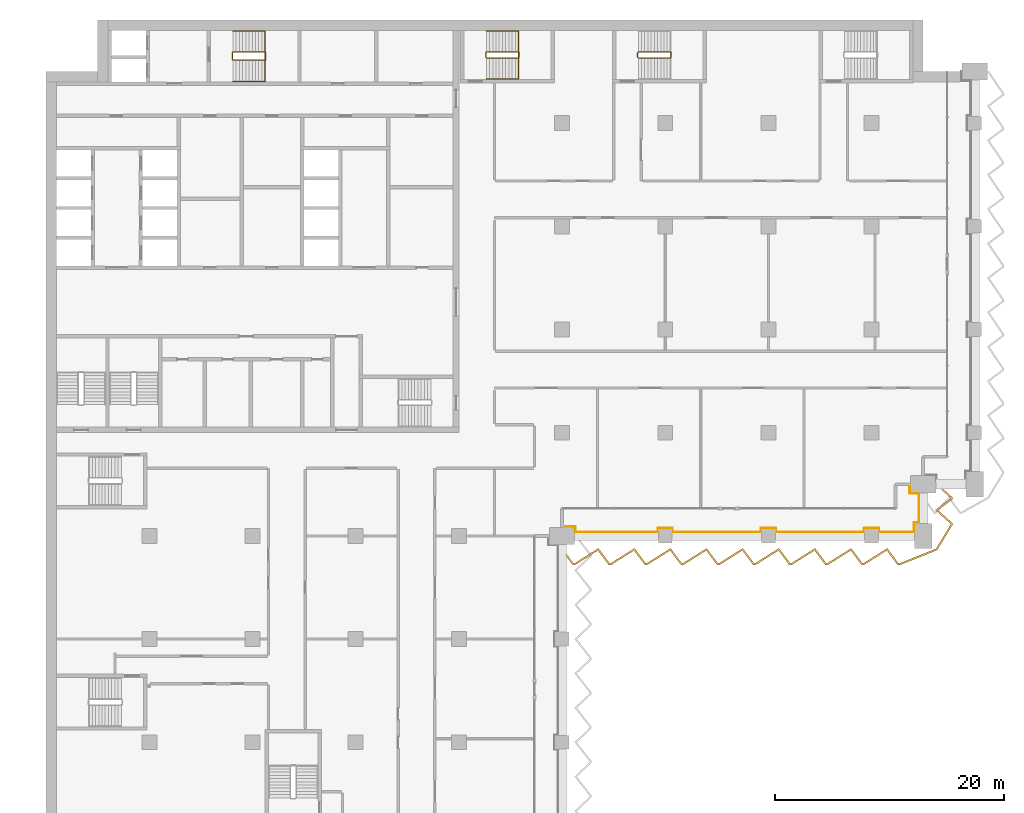
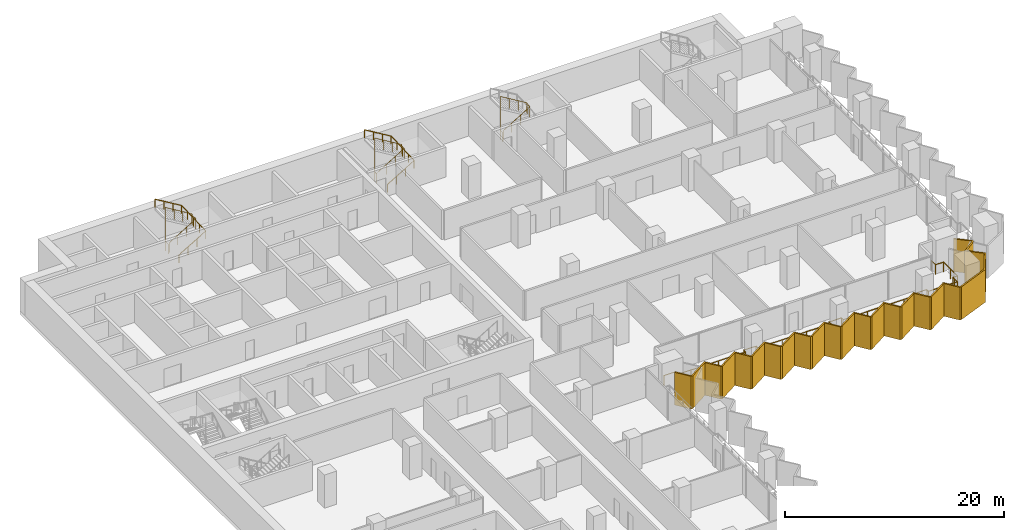
# One storey, part 21 of 22: 6 railings, 1 shading device.
"""IFC4 building model written with IfcOpenShell, lengths in metres."""

from ifc_helpers import new_model, si_unit, direction, frame, origin, origin_2d, place, context, subcontext, project, spatial, polyline, circle, outline, extrude, material, layer, layer_set, type_object, element, save


model = new_model("IFC4")

# Units and contexts
model_context = context("Model", 3, precision=1e-05, world=origin(), true_north=direction((0.0, 1.0)))
body_context = subcontext(model_context, "Body", "Model", "MODEL_VIEW")
ifc_project = project(units=[si_unit("LENGTHUNIT", "METRE"), si_unit("AREAUNIT", "SQUARE_METRE"), si_unit("VOLUMEUNIT", "CUBIC_METRE"), si_unit("PLANEANGLEUNIT", "RADIAN"), si_unit("MASSUNIT", "GRAM", prefix="KILO")], contexts=[model_context])

# Site, building, storey
site_placement = place(None, origin())
site = spatial("IfcSite", under=ifc_project, at=site_placement, CompositionType="ELEMENT")
building_placement = place(site_placement, origin())
building = spatial("IfcBuilding", under=site, at=building_placement, Name="Hunhe Ridgeline Campus", CompositionType="ELEMENT")
storey_placement = place(building_placement, frame((0.0, 0.0, 92.199951171875)))
storey = spatial("IfcBuildingStorey", under=building, at=storey_placement, Name="L22", CompositionType="ELEMENT", Elevation=92.199951171875)

# Railing
ifc_material_1 = material(Name="Steel Q355", Category="steel")
railing_type_1 = type_object("IfcRailingType", Name="Loggia guard 1100 Steel Q355", PredefinedType="GUARDRAIL", material=ifc_material_1)
railing_1_placement = place(storey_placement, frame((45.0, 54.820068359375, 0.0)))
element("IfcRailing", 1, at=railing_1_placement, inside=storey, type_object=railing_type_1, Name="Loggia guard 2", PredefinedType="GUARDRAIL", context=body_context, shape_type="SweptSolid", body=[
    extrude(circle(Radius=0.02392578125, at=origin_2d()), frame((0.0, 0.0, 1.076171875), z_axis=(1.0, 0.0, 0.0), x_axis=(0.0, 1.0, 0.0)), (0.0, 0.0, 1.0), 1.14990234375),
    extrude(circle(Radius=0.02392578125, at=origin_2d()), frame((1.14990234375, 0.0, 1.076171875), z_axis=(0.0, -1.0, 0.0), x_axis=(1.0, 0.0, 0.0)), (0.0, 0.0, 1.0), 0.469970703125),
    extrude(circle(Radius=0.02392578125, at=origin_2d()), frame((1.14990234375, -0.469970703125, 1.076171875), z_axis=(1.0, 0.0, 0.0), x_axis=(0.0, 1.0, 0.0)), (0.0, 0.0, 1.0), 7.2001953125),
    extrude(circle(Radius=0.02392578125, at=origin_2d()), frame((8.35009765625, -0.469970703125, 1.076171875), z_axis=(0.0, 1.0, 0.0), x_axis=(-1.0, 0.0, 0.0)), (0.0, 0.0, 1.0), 0.31982421875),
    extrude(circle(Radius=0.02392578125, at=origin_2d()), frame((8.35009765625, -0.150146484375, 1.076171875), z_axis=(1.0, 0.0, 0.0), x_axis=(0.0, 1.0, 0.0)), (0.0, 0.0, 1.0), 1.2998046875),
    extrude(circle(Radius=0.02392578125, at=origin_2d()), frame((9.64990234375, -0.150146484375, 1.076171875), z_axis=(0.0, -1.0, 0.0), x_axis=(1.0, 0.0, 0.0)), (0.0, 0.0, 1.0), 0.31982421875),
    extrude(circle(Radius=0.02392578125, at=origin_2d()), frame((9.64990234375, -0.469970703125, 1.076171875), z_axis=(1.0, 0.0, 0.0), x_axis=(0.0, 1.0, 0.0)), (0.0, 0.0, 1.0), 7.7001953125),
    extrude(circle(Radius=0.02392578125, at=origin_2d()), frame((17.35009765625, -0.469970703125, 1.076171875), z_axis=(0.0, 1.0, 0.0), x_axis=(-1.0, 0.0, 0.0)), (0.0, 0.0, 1.0), 0.31982421875),
    extrude(circle(Radius=0.02392578125, at=origin_2d()), frame((17.35009765625, -0.150146484375, 1.076171875), z_axis=(1.0, 0.0, 0.0), x_axis=(0.0, 1.0, 0.0)), (0.0, 0.0, 1.0), 1.2998046875),
    extrude(circle(Radius=0.02392578125, at=origin_2d()), frame((18.64990234375, -0.150146484375, 1.076171875), z_axis=(0.0, -1.0, 0.0), x_axis=(1.0, 0.0, 0.0)), (0.0, 0.0, 1.0), 0.31982421875),
    extrude(circle(Radius=0.02392578125, at=origin_2d()), frame((18.64990234375, -0.469970703125, 1.076171875), z_axis=(1.0, 0.0, 0.0), x_axis=(0.0, 1.0, 0.0)), (0.0, 0.0, 1.0), 7.7001953125),
    extrude(circle(Radius=0.02392578125, at=origin_2d()), frame((26.35009765625, -0.469970703125, 1.076171875), z_axis=(0.0, 1.0, 0.0), x_axis=(-1.0, 0.0, 0.0)), (0.0, 0.0, 1.0), 0.31982421875),
    extrude(circle(Radius=0.02392578125, at=origin_2d()), frame((26.35009765625, -0.150146484375, 1.076171875), z_axis=(1.0, 0.0, 0.0), x_axis=(0.0, 1.0, 0.0)), (0.0, 0.0, 1.0), 1.2998046875),
    extrude(circle(Radius=0.02392578125, at=origin_2d()), frame((27.64990234375, -0.150146484375, 1.076171875), z_axis=(0.0, -1.0, 0.0), x_axis=(1.0, 0.0, 0.0)), (0.0, 0.0, 1.0), 0.31982421875),
    extrude(circle(Radius=0.02392578125, at=origin_2d()), frame((27.64990234375, -0.469970703125, 1.076171875), z_axis=(1.0, 0.0, 0.0), x_axis=(0.0, 1.0, 0.0)), (0.0, 0.0, 1.0), 3.050048828125),
    extrude(circle(Radius=0.02392578125, at=origin_2d()), frame((30.699951171875, -0.469970703125, 1.076171875), z_axis=(0.0, 1.0, 0.0), x_axis=(-1.0, 0.0, 0.0)), (0.0, 0.0, 1.0), 0.81982421875),
    extrude(circle(Radius=0.02392578125, at=origin_2d()), frame((30.699951171875, 0.349853515625, 1.076171875), z_axis=(-0.057129153726, -0.99836679622, 0.0), x_axis=(0.99836679622, -0.057129153726, 0.0)), (0.0, 0.0, 1.0), 0.350341796875),
    extrude(circle(Radius=0.02392578125, at=origin_2d()), frame((30.679931640625, 0.0, 1.076171875), z_axis=(0.0, 1.0, 0.0), x_axis=(-1.0, 0.0, 0.0)), (0.0, 0.0, 1.0), 0.329833984375),
    extrude(circle(Radius=0.02392578125, at=origin_2d()), frame((30.679931640625, 0.329833984375, 1.076171875), z_axis=(1.0, 0.0, 0.0), x_axis=(0.0, 1.0, 0.0)), (0.0, 0.0, 1.0), 0.469970703125),
    extrude(circle(Radius=0.02392578125, at=origin_2d()), frame((31.14990234375, 0.329833984375, 1.076171875), z_axis=(0.0, 1.0, 0.0), x_axis=(-1.0, 0.0, 0.0)), (0.0, 0.0, 1.0), 2.550048828125),
    extrude(circle(Radius=0.02392578125, at=origin_2d()), frame((31.14990234375, 2.8798828125, 1.076171875), z_axis=(-1.0, 0.0, 0.0), x_axis=(0.0, -1.0, 0.0)), (0.0, 0.0, 1.0), 0.81982421875),
    extrude(circle(Radius=0.02392578125, at=origin_2d()), frame((30.330078125, 2.8798828125, 1.076171875), z_axis=(0.0, 1.0, 0.0), x_axis=(-1.0, 0.0, 0.0)), (0.0, 0.0, 1.0), 0.800048828125),
    extrude(circle(Radius=0.02099609375, at=origin_2d()), origin(), (0.0, 0.0, 1.0), 1.052001953125),
    extrude(circle(Radius=0.02099609375, at=origin_2d()), frame((1.14990234375, 0.0, 0.0)), (0.0, 0.0, 1.0), 1.052001953125),
    extrude(circle(Radius=0.02099609375, at=origin_2d()), frame((1.14990234375, -0.469970703125, 0.0)), (0.0, 0.0, 1.0), 1.052001953125),
    extrude(circle(Radius=0.02099609375, at=origin_2d()), frame((2.58984375, -0.469970703125, 0.0)), (0.0, 0.0, 1.0), 1.052001953125),
    extrude(circle(Radius=0.02099609375, at=origin_2d()), frame((4.030029296875, -0.469970703125, 0.0)), (0.0, 0.0, 1.0), 1.052001953125),
    extrude(circle(Radius=0.02099609375, at=origin_2d()), frame((5.469970703125, -0.469970703125, 0.0)), (0.0, 0.0, 1.0), 1.052001953125),
    extrude(circle(Radius=0.02099609375, at=origin_2d()), frame((6.91015625, -0.469970703125, 0.0)), (0.0, 0.0, 1.0), 1.052001953125),
    extrude(circle(Radius=0.02099609375, at=origin_2d()), frame((8.35009765625, -0.469970703125, 0.0)), (0.0, 0.0, 1.0), 1.052001953125),
    extrude(circle(Radius=0.02099609375, at=origin_2d()), frame((8.35009765625, -0.150146484375, 0.0)), (0.0, 0.0, 1.0), 1.052001953125),
    extrude(circle(Radius=0.02099609375, at=origin_2d()), frame((9.64990234375, -0.150146484375, 0.0)), (0.0, 0.0, 1.0), 1.052001953125),
    extrude(circle(Radius=0.02099609375, at=origin_2d()), frame((9.64990234375, -0.469970703125, 0.0)), (0.0, 0.0, 1.0), 1.052001953125),
    extrude(circle(Radius=0.02099609375, at=origin_2d()), frame((10.933349609375, -0.469970703125, 0.0)), (0.0, 0.0, 1.0), 1.052001953125),
    extrude(circle(Radius=0.02099609375, at=origin_2d()), frame((12.216552734375, -0.469970703125, 0.0)), (0.0, 0.0, 1.0), 1.052001953125),
    extrude(circle(Radius=0.02099609375, at=origin_2d()), frame((13.5, -0.469970703125, 0.0)), (0.0, 0.0, 1.0), 1.052001953125),
    extrude(circle(Radius=0.02099609375, at=origin_2d()), frame((14.783447265625, -0.469970703125, 0.0)), (0.0, 0.0, 1.0), 1.052001953125),
    extrude(circle(Radius=0.02099609375, at=origin_2d()), frame((16.066650390625, -0.469970703125, 0.0)), (0.0, 0.0, 1.0), 1.052001953125),
    extrude(circle(Radius=0.02099609375, at=origin_2d()), frame((17.35009765625, -0.469970703125, 0.0)), (0.0, 0.0, 1.0), 1.052001953125),
    extrude(circle(Radius=0.02099609375, at=origin_2d()), frame((17.35009765625, -0.150146484375, 0.0)), (0.0, 0.0, 1.0), 1.052001953125),
    extrude(circle(Radius=0.02099609375, at=origin_2d()), frame((18.64990234375, -0.150146484375, 0.0)), (0.0, 0.0, 1.0), 1.052001953125),
    extrude(circle(Radius=0.02099609375, at=origin_2d()), frame((18.64990234375, -0.469970703125, 0.0)), (0.0, 0.0, 1.0), 1.052001953125),
    extrude(circle(Radius=0.02099609375, at=origin_2d()), frame((19.933349609375, -0.469970703125, 0.0)), (0.0, 0.0, 1.0), 1.052001953125),
    extrude(circle(Radius=0.02099609375, at=origin_2d()), frame((21.216552734375, -0.469970703125, 0.0)), (0.0, 0.0, 1.0), 1.052001953125),
    extrude(circle(Radius=0.02099609375, at=origin_2d()), frame((22.5, -0.469970703125, 0.0)), (0.0, 0.0, 1.0), 1.052001953125),
    extrude(circle(Radius=0.02099609375, at=origin_2d()), frame((23.783447265625, -0.469970703125, 0.0)), (0.0, 0.0, 1.0), 1.052001953125),
    extrude(circle(Radius=0.02099609375, at=origin_2d()), frame((25.066650390625, -0.469970703125, 0.0)), (0.0, 0.0, 1.0), 1.052001953125),
    extrude(circle(Radius=0.02099609375, at=origin_2d()), frame((26.35009765625, -0.469970703125, 0.0)), (0.0, 0.0, 1.0), 1.052001953125),
    extrude(circle(Radius=0.02099609375, at=origin_2d()), frame((26.35009765625, -0.150146484375, 0.0)), (0.0, 0.0, 1.0), 1.052001953125),
    extrude(circle(Radius=0.02099609375, at=origin_2d()), frame((27.64990234375, -0.150146484375, 0.0)), (0.0, 0.0, 1.0), 1.052001953125),
    extrude(circle(Radius=0.02099609375, at=origin_2d()), frame((27.64990234375, -0.469970703125, 0.0)), (0.0, 0.0, 1.0), 1.052001953125),
    extrude(circle(Radius=0.02099609375, at=origin_2d()), frame((28.66650390625, -0.469970703125, 0.0)), (0.0, 0.0, 1.0), 1.052001953125),
    extrude(circle(Radius=0.02099609375, at=origin_2d()), frame((29.683349609375, -0.469970703125, 0.0)), (0.0, 0.0, 1.0), 1.052001953125),
    extrude(circle(Radius=0.02099609375, at=origin_2d()), frame((30.699951171875, -0.469970703125, 0.0)), (0.0, 0.0, 1.0), 1.052001953125),
    extrude(circle(Radius=0.02099609375, at=origin_2d()), frame((30.699951171875, 0.349853515625, 0.0)), (0.0, 0.0, 1.0), 1.052001953125),
    extrude(circle(Radius=0.02099609375, at=origin_2d()), frame((30.679931640625, 0.0, 0.0)), (0.0, 0.0, 1.0), 1.052001953125),
    extrude(circle(Radius=0.02099609375, at=origin_2d()), frame((30.679931640625, 0.329833984375, 0.0)), (0.0, 0.0, 1.0), 1.052001953125),
    extrude(circle(Radius=0.02099609375, at=origin_2d()), frame((31.14990234375, 0.329833984375, 0.0)), (0.0, 0.0, 1.0), 1.052001953125),
    extrude(circle(Radius=0.02099609375, at=origin_2d()), frame((31.14990234375, 1.60498046875, 0.0)), (0.0, 0.0, 1.0), 1.052001953125),
    extrude(circle(Radius=0.02099609375, at=origin_2d()), frame((31.14990234375, 2.8798828125, 0.0)), (0.0, 0.0, 1.0), 1.052001953125),
    extrude(circle(Radius=0.02099609375, at=origin_2d()), frame((30.330078125, 2.8798828125, 0.0)), (0.0, 0.0, 1.0), 1.052001953125),
    extrude(circle(Radius=0.02099609375, at=origin_2d()), frame((30.330078125, 3.679931640625, 0.0)), (0.0, 0.0, 1.0), 1.052001953125),
])

# Shading device
ifc_material_2 = material(Name="Concrete C50", Category="concrete")
ifc_layer = layer(ifc_material_2, 0.14990234375)
ifc_layer_set = layer_set([ifc_layer], Name="Sawtooth concrete fin 150 Concrete C50")
shading_device_type = type_object("IfcShadingDeviceType", Name="Sawtooth concrete fin 150 Concrete C50", PredefinedType="USERDEFINED", material=ifc_layer_set)
shading_device_placement = place(storey_placement, frame((0.0, 0.0, -0.949951171875)))
element("IfcShadingDevice", 2, at=shading_device_placement, inside=storey, type_object=shading_device_type, Name="Concrete fin screen 2", ObjectType="FIN", PredefinedType="USERDEFINED", context=body_context, shape_type="SweptSolid", body=[
    extrude(outline(polyline([(45.06005859375, 52.869873046875), (44.93994140625, 52.7802734375), (45.930419921875, 51.449951171875), (46.10986328125, 51.449951171875), (48.13134765625, 52.724609375), (49.08056640625, 51.449951171875), (49.259765625, 51.449951171875), (51.28125, 52.724609375), (52.23046875, 51.449951171875), (52.40966796875, 51.449951171875), (54.431396484375, 52.724609375), (55.38037109375, 51.449951171875), (55.559814453125, 51.449951171875), (57.581298828125, 52.724609375), (58.530517578125, 51.449951171875), (58.709716796875, 51.449951171875), (60.731201171875, 52.724609375), (61.680419921875, 51.449951171875), (61.85986328125, 51.449951171875), (63.88134765625, 52.724609375), (64.83056640625, 51.449951171875), (65.009765625, 51.449951171875), (67.03125, 52.724609375), (67.98046875, 51.449951171875), (68.15966796875, 51.449951171875), (70.181396484375, 52.724609375), (71.13037109375, 51.449951171875), (71.309814453125, 51.449951171875), (73.331298828125, 52.724609375), (74.280517578125, 51.449951171875), (74.45263671875, 51.449951171875), (77.72607421875, 52.7646484375), (79.050048828125, 54.947021484375), (79.050048828125, 55.12158203125), (77.79345703125, 56.24462890625), (79.050048828125, 57.180419921875), (79.050048828125, 57.37158203125), (77.72509765625, 58.555908203125), (77.625, 58.444091796875), (78.89990234375, 57.304443359375), (78.89990234375, 57.255859375), (77.556640625, 56.25537109375), (78.89990234375, 55.054443359375), (78.89990234375, 54.989013671875), (77.623779296875, 52.88525390625), (74.423583984375, 51.60009765625), (74.355712890625, 51.60009765625), (73.36865234375, 52.925537109375), (71.266357421875, 51.60009765625), (71.205810546875, 51.60009765625), (70.21875, 52.925537109375), (68.116455078125, 51.60009765625), (68.0556640625, 51.60009765625), (67.068603515625, 52.925537109375), (64.966552734375, 51.60009765625), (64.90576171875, 51.60009765625), (63.918701171875, 52.925537109375), (61.81640625, 51.60009765625), (61.755859375, 51.60009765625), (60.768798828125, 52.925537109375), (58.66650390625, 51.60009765625), (58.605712890625, 51.60009765625), (57.61865234375, 52.925537109375), (55.516357421875, 51.60009765625), (55.455810546875, 51.60009765625), (54.46875, 52.925537109375), (52.366455078125, 51.60009765625), (52.3056640625, 51.60009765625), (51.318603515625, 52.925537109375), (49.216552734375, 51.60009765625), (49.15576171875, 51.60009765625), (48.168701171875, 52.925537109375), (46.06640625, 51.60009765625), (46.005859375, 51.60009765625), (45.06005859375, 52.869873046875)])), origin(), (0.0, 0.0, 1.0), 3.64990234375),
])

# Railings
ifc_material_3 = material(Name="Stainless steel balustrade", Category="steel")
railing_type_2 = type_object("IfcRailingType", Name="Stair guard 1100 stainless", PredefinedType="GUARDRAIL", material=ifc_material_3)
railing_2_placement = place(storey_placement, frame((16.300048828125, 95.5, 0.168212890625)))
element("IfcRailing", 3, at=railing_2_placement, inside=storey, type_object=railing_type_2, Name="L22 stair S1 guard", PredefinedType="GUARDRAIL", context=body_context, shape_type="SweptSolid", body=[
    extrude(circle(Radius=0.02392578125, at=origin_2d()), frame((0.0, 0.0, 1.076171875), z_axis=(0.857242210791, 0.0, 0.514913383045), x_axis=(0.0, 1.0, 0.0)), (0.0, 0.0, 1.0), 3.266357421875),
    extrude(circle(Radius=0.02392578125, at=origin_2d()), frame((2.800048828125, 0.0, 2.7578125), z_axis=(0.705375805398, 0.708833529934, 0.0), x_axis=(-0.708833529934, 0.705375805398, 0.0)), (0.0, 0.0, 1.0), 0.070556640625),
    extrude(circle(Radius=0.02392578125, at=origin_2d()), frame((2.849853515625, 0.050048828125, 2.7578125), z_axis=(0.0, 1.0, 0.0), x_axis=(-1.0, 0.0, 0.0)), (0.0, 0.0, 1.0), 0.599853515625),
    extrude(circle(Radius=0.02392578125, at=origin_2d()), frame((2.849853515625, 0.64990234375, 2.7578125), z_axis=(-0.273006030465, 0.27434429532, 0.922064485248), x_axis=(-0.708833529934, -0.705375805398, 0.0)), (0.0, 0.0, 1.0), 0.182373046875),
    extrude(circle(Radius=0.02392578125, at=origin_2d()), frame((2.800048828125, 0.699951171875, 2.92626953125), z_axis=(-0.857275202839, 0.0, 0.514858452973), x_axis=(0.0, -1.0, 0.0)), (0.0, 0.0, 1.0), 3.26611328125),
    extrude(circle(Radius=0.02392578125, at=origin_2d()), frame((0.0, 0.699951171875, 4.60791015625), z_axis=(-0.013524414389, -0.013524414389, -0.999817073484), x_axis=(0.707106781187, -0.707106781187, 0.0)), (0.0, 0.0, 1.0), 3.70068359375),
    extrude(circle(Radius=0.02392578125, at=origin_2d()), frame((-0.050048828125, 0.64990234375, 0.90771484375), z_axis=(0.0, -1.0, 0.0), x_axis=(1.0, 0.0, 0.0)), (0.0, 0.0, 1.0), 0.599853515625),
    extrude(circle(Radius=0.02099609375, at=origin_2d()), origin(), (0.0, 0.0, 1.0), 1.052001953125),
    extrude(circle(Radius=0.02099609375, at=origin_2d()), frame((0.933349609375, 0.0, 0.560546875)), (0.0, 0.0, 1.0), 1.052001953125),
    extrude(circle(Radius=0.02099609375, at=origin_2d()), frame((1.86669921875, 0.0, 1.121337890625)), (0.0, 0.0, 1.0), 1.052001953125),
    extrude(circle(Radius=0.02099609375, at=origin_2d()), frame((2.800048828125, 0.0, 1.681884765625)), (0.0, 0.0, 1.0), 1.052001953125),
    extrude(circle(Radius=0.02099609375, at=origin_2d()), frame((2.849853515625, 0.050048828125, 1.681884765625)), (0.0, 0.0, 1.0), 1.052001953125),
    extrude(circle(Radius=0.02099609375, at=origin_2d()), frame((2.849853515625, 0.64990234375, 1.681884765625)), (0.0, 0.0, 1.0), 1.052001953125),
    extrude(circle(Radius=0.02099609375, at=origin_2d()), frame((2.800048828125, 0.699951171875, 1.85009765625)), (0.0, 0.0, 1.0), 1.052001953125),
    extrude(circle(Radius=0.02099609375, at=origin_2d()), frame((1.86669921875, 0.699951171875, 2.41064453125)), (0.0, 0.0, 1.0), 1.052001953125),
    extrude(circle(Radius=0.02099609375, at=origin_2d()), frame((0.933349609375, 0.699951171875, 2.97119140625)), (0.0, 0.0, 1.0), 1.052001953125),
    extrude(circle(Radius=0.02099609375, at=origin_2d()), frame((0.0, 0.699951171875, 3.53173828125)), (0.0, 0.0, 1.0), 1.052001953125),
    extrude(circle(Radius=0.02099609375, at=origin_2d()), frame((-0.012451171875, 0.6875, 2.606689453125)), (0.0, 0.0, 1.0), 1.052001953125),
    extrude(circle(Radius=0.02099609375, at=origin_2d()), frame((-0.02490234375, 0.6748046875, 1.681640625)), (0.0, 0.0, 1.0), 1.052001953125),
    extrude(circle(Radius=0.02099609375, at=origin_2d()), frame((-0.03759765625, 0.662353515625, 0.7568359375)), (0.0, 0.0, 1.0), 1.052001953125),
    extrude(circle(Radius=0.02099609375, at=origin_2d()), frame((-0.050048828125, 0.64990234375, -0.168212890625)), (0.0, 0.0, 1.0), 1.052001953125),
    extrude(circle(Radius=0.02099609375, at=origin_2d()), frame((-0.050048828125, 0.050048828125, -0.168212890625)), (0.0, 0.0, 1.0), 1.052001953125),
])
railing_3_placement = place(storey_placement, frame((38.39990234375, 95.699951171875, 0.168212890625)))
element("IfcRailing", 4, at=railing_3_placement, inside=storey, type_object=railing_type_2, Name="L22 stair E1 guard", PredefinedType="GUARDRAIL", context=body_context, shape_type="SweptSolid", body=[
    extrude(circle(Radius=0.02392578125, at=origin_2d()), frame((0.0, 0.0, 1.076171875), z_axis=(0.857242210791, 0.0, 0.514913383045), x_axis=(0.0, 1.0, 0.0)), (0.0, 0.0, 1.0), 3.266357421875),
    extrude(circle(Radius=0.02392578125, at=origin_2d()), frame((2.800048828125, 0.0, 2.7578125), z_axis=(0.707106781187, 0.707106781187, 0.0), x_axis=(-0.707106781187, 0.707106781187, 0.0)), (0.0, 0.0, 1.0), 0.07080078125),
    extrude(circle(Radius=0.02392578125, at=origin_2d()), frame((2.85009765625, 0.050048828125, 2.7578125), z_axis=(0.0, 1.0, 0.0), x_axis=(-1.0, 0.0, 0.0)), (0.0, 0.0, 1.0), 0.39990234375),
    extrude(circle(Radius=0.02392578125, at=origin_2d()), frame((2.85009765625, 0.449951171875, 2.7578125), z_axis=(-0.274243871929, 0.274243871929, 0.92172696468), x_axis=(-0.707106781187, -0.707106781187, 0.0)), (0.0, 0.0, 1.0), 0.1826171875),
    extrude(circle(Radius=0.02392578125, at=origin_2d()), frame((2.800048828125, 0.5, 2.92626953125), z_axis=(-0.857275202839, 0.0, 0.514858452973), x_axis=(0.0, -1.0, 0.0)), (0.0, 0.0, 1.0), 3.26611328125),
    extrude(circle(Radius=0.02392578125, at=origin_2d()), frame((0.0, 0.5, 4.60791015625), z_axis=(-0.013458453615, -0.013524426427, -0.999817963389), x_axis=(0.708833529934, -0.705375805398, 0.0)), (0.0, 0.0, 1.0), 3.70068359375),
    extrude(circle(Radius=0.02392578125, at=origin_2d()), frame((-0.0498046875, 0.449951171875, 0.90771484375), z_axis=(0.0, -1.0, 0.0), x_axis=(1.0, 0.0, 0.0)), (0.0, 0.0, 1.0), 0.39990234375),
    extrude(circle(Radius=0.02099609375, at=origin_2d()), origin(), (0.0, 0.0, 1.0), 1.052001953125),
    extrude(circle(Radius=0.02099609375, at=origin_2d()), frame((0.933349609375, 0.0, 0.560546875)), (0.0, 0.0, 1.0), 1.052001953125),
    extrude(circle(Radius=0.02099609375, at=origin_2d()), frame((1.86669921875, 0.0, 1.121337890625)), (0.0, 0.0, 1.0), 1.052001953125),
    extrude(circle(Radius=0.02099609375, at=origin_2d()), frame((2.800048828125, 0.0, 1.681884765625)), (0.0, 0.0, 1.0), 1.052001953125),
    extrude(circle(Radius=0.02099609375, at=origin_2d()), frame((2.85009765625, 0.050048828125, 1.681884765625)), (0.0, 0.0, 1.0), 1.052001953125),
    extrude(circle(Radius=0.02099609375, at=origin_2d()), frame((2.85009765625, 0.449951171875, 1.681884765625)), (0.0, 0.0, 1.0), 1.052001953125),
    extrude(circle(Radius=0.02099609375, at=origin_2d()), frame((2.800048828125, 0.5, 1.85009765625)), (0.0, 0.0, 1.0), 1.052001953125),
    extrude(circle(Radius=0.02099609375, at=origin_2d()), frame((1.86669921875, 0.5, 2.41064453125)), (0.0, 0.0, 1.0), 1.052001953125),
    extrude(circle(Radius=0.02099609375, at=origin_2d()), frame((0.933349609375, 0.5, 2.97119140625)), (0.0, 0.0, 1.0), 1.052001953125),
    extrude(circle(Radius=0.02099609375, at=origin_2d()), frame((0.0, 0.5, 3.53173828125)), (0.0, 0.0, 1.0), 1.052001953125),
    extrude(circle(Radius=0.02099609375, at=origin_2d()), frame((-0.012451171875, 0.487548828125, 2.606689453125)), (0.0, 0.0, 1.0), 1.052001953125),
    extrude(circle(Radius=0.02099609375, at=origin_2d()), frame((-0.02490234375, 0.47509765625, 1.681640625)), (0.0, 0.0, 1.0), 1.052001953125),
    extrude(circle(Radius=0.02099609375, at=origin_2d()), frame((-0.037353515625, 0.46240234375, 0.7568359375)), (0.0, 0.0, 1.0), 1.052001953125),
    extrude(circle(Radius=0.02099609375, at=origin_2d()), frame((-0.0498046875, 0.449951171875, -0.168212890625)), (0.0, 0.0, 1.0), 1.052001953125),
    extrude(circle(Radius=0.02099609375, at=origin_2d()), frame((-0.0498046875, 0.050048828125, -0.168212890625)), (0.0, 0.0, 1.0), 1.052001953125),
])
railing_4_placement = place(storey_placement, frame((51.64990234375, 95.699951171875, 0.168212890625)))
element("IfcRailing", 5, at=railing_4_placement, inside=storey, type_object=railing_type_2, Name="L22 stair E2 guard", PredefinedType="GUARDRAIL", context=body_context, shape_type="SweptSolid", body=[
    extrude(circle(Radius=0.02392578125, at=origin_2d()), frame((0.0, 0.0, 1.076171875), z_axis=(0.857242210791, 0.0, 0.514913383045), x_axis=(0.0, 1.0, 0.0)), (0.0, 0.0, 1.0), 3.266357421875),
    extrude(circle(Radius=0.02392578125, at=origin_2d()), frame((2.800048828125, 0.0, 2.7578125), z_axis=(0.707106781187, 0.707106781187, 0.0), x_axis=(-0.707106781187, 0.707106781187, 0.0)), (0.0, 0.0, 1.0), 0.07080078125),
    extrude(circle(Radius=0.02392578125, at=origin_2d()), frame((2.85009765625, 0.050048828125, 2.7578125), z_axis=(0.0, 1.0, 0.0), x_axis=(-1.0, 0.0, 0.0)), (0.0, 0.0, 1.0), 0.39990234375),
    extrude(circle(Radius=0.02392578125, at=origin_2d()), frame((2.85009765625, 0.449951171875, 2.7578125), z_axis=(-0.274243871929, 0.274243871929, 0.92172696468), x_axis=(-0.707106781187, -0.707106781187, 0.0)), (0.0, 0.0, 1.0), 0.1826171875),
    extrude(circle(Radius=0.02392578125, at=origin_2d()), frame((2.800048828125, 0.5, 2.92626953125), z_axis=(-0.857275202839, 0.0, 0.514858452973), x_axis=(0.0, -1.0, 0.0)), (0.0, 0.0, 1.0), 3.26611328125),
    extrude(circle(Radius=0.02392578125, at=origin_2d()), frame((0.0, 0.5, 4.60791015625), z_axis=(-0.013458453615, -0.013524426427, -0.999817963389), x_axis=(0.708833529934, -0.705375805398, 0.0)), (0.0, 0.0, 1.0), 3.70068359375),
    extrude(circle(Radius=0.02392578125, at=origin_2d()), frame((-0.0498046875, 0.449951171875, 0.90771484375), z_axis=(0.0, -1.0, 0.0), x_axis=(1.0, 0.0, 0.0)), (0.0, 0.0, 1.0), 0.39990234375),
    extrude(circle(Radius=0.02099609375, at=origin_2d()), origin(), (0.0, 0.0, 1.0), 1.052001953125),
    extrude(circle(Radius=0.02099609375, at=origin_2d()), frame((0.933349609375, 0.0, 0.560546875)), (0.0, 0.0, 1.0), 1.052001953125),
    extrude(circle(Radius=0.02099609375, at=origin_2d()), frame((1.86669921875, 0.0, 1.121337890625)), (0.0, 0.0, 1.0), 1.052001953125),
    extrude(circle(Radius=0.02099609375, at=origin_2d()), frame((2.800048828125, 0.0, 1.681884765625)), (0.0, 0.0, 1.0), 1.052001953125),
    extrude(circle(Radius=0.02099609375, at=origin_2d()), frame((2.85009765625, 0.050048828125, 1.681884765625)), (0.0, 0.0, 1.0), 1.052001953125),
    extrude(circle(Radius=0.02099609375, at=origin_2d()), frame((2.85009765625, 0.449951171875, 1.681884765625)), (0.0, 0.0, 1.0), 1.052001953125),
    extrude(circle(Radius=0.02099609375, at=origin_2d()), frame((2.800048828125, 0.5, 1.85009765625)), (0.0, 0.0, 1.0), 1.052001953125),
    extrude(circle(Radius=0.02099609375, at=origin_2d()), frame((1.86669921875, 0.5, 2.41064453125)), (0.0, 0.0, 1.0), 1.052001953125),
    extrude(circle(Radius=0.02099609375, at=origin_2d()), frame((0.933349609375, 0.5, 2.97119140625)), (0.0, 0.0, 1.0), 1.052001953125),
    extrude(circle(Radius=0.02099609375, at=origin_2d()), frame((0.0, 0.5, 3.53173828125)), (0.0, 0.0, 1.0), 1.052001953125),
    extrude(circle(Radius=0.02099609375, at=origin_2d()), frame((-0.012451171875, 0.487548828125, 2.606689453125)), (0.0, 0.0, 1.0), 1.052001953125),
    extrude(circle(Radius=0.02099609375, at=origin_2d()), frame((-0.02490234375, 0.47509765625, 1.681640625)), (0.0, 0.0, 1.0), 1.052001953125),
    extrude(circle(Radius=0.02099609375, at=origin_2d()), frame((-0.037353515625, 0.46240234375, 0.7568359375)), (0.0, 0.0, 1.0), 1.052001953125),
    extrude(circle(Radius=0.02099609375, at=origin_2d()), frame((-0.0498046875, 0.449951171875, -0.168212890625)), (0.0, 0.0, 1.0), 1.052001953125),
    extrude(circle(Radius=0.02099609375, at=origin_2d()), frame((-0.0498046875, 0.050048828125, -0.168212890625)), (0.0, 0.0, 1.0), 1.052001953125),
])
ifc_material_4 = material(Name="Stainless steel handrail", Category="steel")
railing_type_3 = type_object("IfcRailingType", Name="Stair handrail 900 stainless", PredefinedType="HANDRAIL", material=ifc_material_4)
railing_5_placement = place(storey_placement, frame((16.300048828125, 93.64990234375, 0.168212890625)))
element("IfcRailing", 6, at=railing_5_placement, inside=storey, type_object=railing_type_3, Name="L22 stair S1 handrail", PredefinedType="HANDRAIL", context=body_context, shape_type="SweptSolid", body=[
    extrude(circle(Radius=0.02392578125, at=origin_2d()), frame((0.0, 0.0, 0.8759765625), z_axis=(0.857242210791, 0.0, 0.514913383045), x_axis=(0.0, 1.0, 0.0)), (0.0, 0.0, 1.0), 3.266357421875),
    extrude(circle(Radius=0.02392578125, at=origin_2d()), frame((2.800048828125, 0.0, 2.5576171875), z_axis=(0.0, 0.999270074432, 0.038201025428), x_axis=(-1.0, 0.0, 0.0)), (0.0, 0.0, 1.0), 4.4033203125),
    extrude(circle(Radius=0.02392578125, at=origin_2d()), frame((2.800048828125, 4.400146484375, 2.72607421875), z_axis=(-0.857275202839, 0.0, 0.514858452973), x_axis=(0.0, -1.0, 0.0)), (0.0, 0.0, 1.0), 3.26611328125),
    extrude(circle(Radius=0.02099609375, at=origin_2d()), origin(), (0.0, 0.0, 1.0), 0.851806640625),
    extrude(circle(Radius=0.02099609375, at=origin_2d()), frame((0.933349609375, 0.0, 0.560546875)), (0.0, 0.0, 1.0), 0.851806640625),
    extrude(circle(Radius=0.02099609375, at=origin_2d()), frame((1.86669921875, 0.0, 1.121337890625)), (0.0, 0.0, 1.0), 0.851806640625),
    extrude(circle(Radius=0.02099609375, at=origin_2d()), frame((2.800048828125, 0.0, 1.681884765625)), (0.0, 0.0, 1.0), 0.851806640625),
    extrude(circle(Radius=0.02099609375, at=origin_2d()), frame((2.800048828125, 1.10009765625, 1.723876953125)), (0.0, 0.0, 1.0), 0.851806640625),
    extrude(circle(Radius=0.02099609375, at=origin_2d()), frame((2.800048828125, 2.2001953125, 1.76611328125)), (0.0, 0.0, 1.0), 0.851806640625),
    extrude(circle(Radius=0.02099609375, at=origin_2d()), frame((2.800048828125, 3.300048828125, 1.80810546875)), (0.0, 0.0, 1.0), 0.851806640625),
    extrude(circle(Radius=0.02099609375, at=origin_2d()), frame((2.800048828125, 4.400146484375, 1.85009765625)), (0.0, 0.0, 1.0), 0.851806640625),
    extrude(circle(Radius=0.02099609375, at=origin_2d()), frame((1.86669921875, 4.400146484375, 2.41064453125)), (0.0, 0.0, 1.0), 0.851806640625),
    extrude(circle(Radius=0.02099609375, at=origin_2d()), frame((0.933349609375, 4.400146484375, 2.97119140625)), (0.0, 0.0, 1.0), 0.851806640625),
    extrude(circle(Radius=0.02099609375, at=origin_2d()), frame((0.0, 4.400146484375, 3.53173828125)), (0.0, 0.0, 1.0), 0.851806640625),
])
railing_6_placement = place(storey_placement, frame((38.39990234375, 93.85009765625, 0.168212890625)))
element("IfcRailing", 7, at=railing_6_placement, inside=storey, type_object=railing_type_3, Name="L22 stair E1 handrail", PredefinedType="HANDRAIL", context=body_context, shape_type="SweptSolid", body=[
    extrude(circle(Radius=0.02392578125, at=origin_2d()), frame((0.0, 0.0, 0.8759765625), z_axis=(0.857242210791, 0.0, 0.514913383045), x_axis=(0.0, 1.0, 0.0)), (0.0, 0.0, 1.0), 3.266357421875),
    extrude(circle(Radius=0.02392578125, at=origin_2d()), frame((2.800048828125, 0.0, 2.5576171875), z_axis=(0.0, 0.999198916169, 0.040019069537), x_axis=(-1.0, 0.0, 0.0)), (0.0, 0.0, 1.0), 4.203369140625),
    extrude(circle(Radius=0.02392578125, at=origin_2d()), frame((2.800048828125, 4.199951171875, 2.72607421875), z_axis=(-0.857275202839, 0.0, 0.514858452973), x_axis=(0.0, -1.0, 0.0)), (0.0, 0.0, 1.0), 3.26611328125),
    extrude(circle(Radius=0.02099609375, at=origin_2d()), origin(), (0.0, 0.0, 1.0), 0.851806640625),
    extrude(circle(Radius=0.02099609375, at=origin_2d()), frame((0.933349609375, 0.0, 0.560546875)), (0.0, 0.0, 1.0), 0.851806640625),
    extrude(circle(Radius=0.02099609375, at=origin_2d()), frame((1.86669921875, 0.0, 1.121337890625)), (0.0, 0.0, 1.0), 0.851806640625),
    extrude(circle(Radius=0.02099609375, at=origin_2d()), frame((2.800048828125, 0.0, 1.681884765625)), (0.0, 0.0, 1.0), 0.851806640625),
    extrude(circle(Radius=0.02099609375, at=origin_2d()), frame((2.800048828125, 1.050048828125, 1.723876953125)), (0.0, 0.0, 1.0), 0.851806640625),
    extrude(circle(Radius=0.02099609375, at=origin_2d()), frame((2.800048828125, 2.10009765625, 1.76611328125)), (0.0, 0.0, 1.0), 0.851806640625),
    extrude(circle(Radius=0.02099609375, at=origin_2d()), frame((2.800048828125, 3.14990234375, 1.80810546875)), (0.0, 0.0, 1.0), 0.851806640625),
    extrude(circle(Radius=0.02099609375, at=origin_2d()), frame((2.800048828125, 4.199951171875, 1.85009765625)), (0.0, 0.0, 1.0), 0.851806640625),
    extrude(circle(Radius=0.02099609375, at=origin_2d()), frame((1.86669921875, 4.199951171875, 2.41064453125)), (0.0, 0.0, 1.0), 0.851806640625),
    extrude(circle(Radius=0.02099609375, at=origin_2d()), frame((0.933349609375, 4.199951171875, 2.97119140625)), (0.0, 0.0, 1.0), 0.851806640625),
    extrude(circle(Radius=0.02099609375, at=origin_2d()), frame((0.0, 4.199951171875, 3.53173828125)), (0.0, 0.0, 1.0), 0.851806640625),
])

save(model, "model.ifc")
